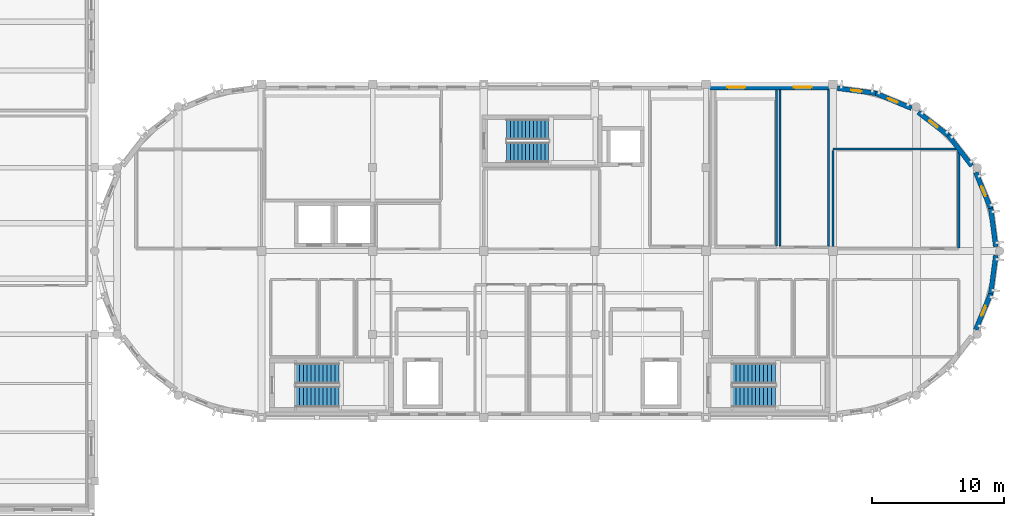
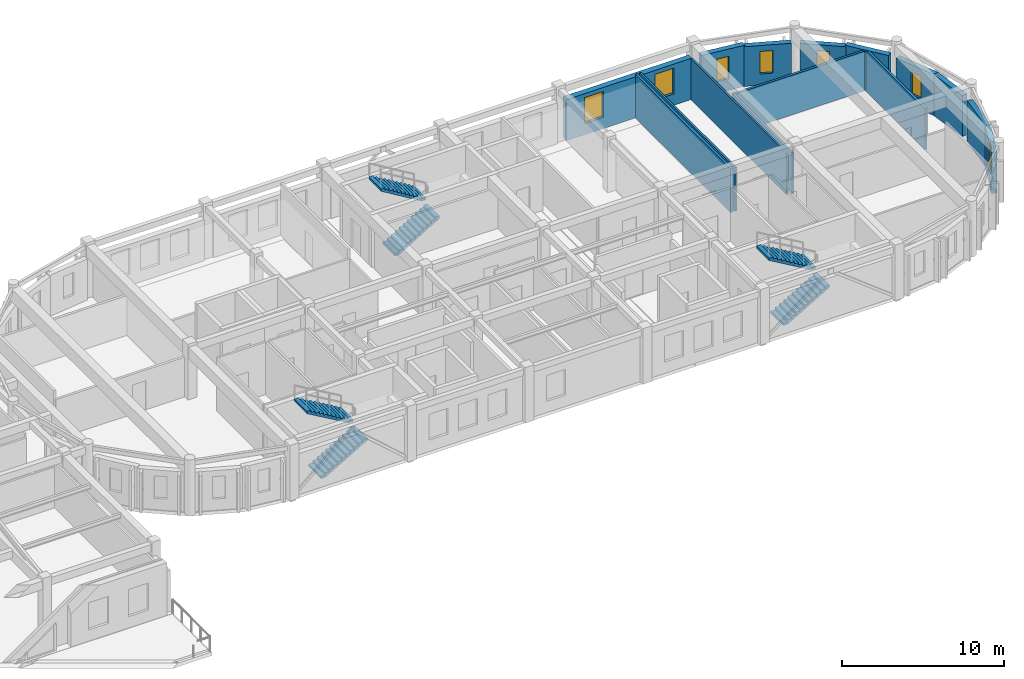
# One storey, part 20 of 29: 15 walls, 7 windows, 6 stair flights, 7 openings, 3 elements without a shape of their own.
"""IFC4 building model written with IfcOpenShell, lengths in metres."""

from ifc_helpers import new_model, si_unit, direction, frame, frame_2d, origin, place, context, subcontext, project, spatial, polyline, rectangle, outline, extrude, material, layer, layer_set, type_object, element, fill, aggregate, save


model = new_model("IFC4")

# Units and contexts
model_context = context("Model", 3, precision=1e-05, world=origin(), true_north=direction((0.0, 1.0)))
body_context = subcontext(model_context, "Body", "Model", "MODEL_VIEW")
ifc_project = project(units=[si_unit("LENGTHUNIT", "METRE"), si_unit("AREAUNIT", "SQUARE_METRE"), si_unit("VOLUMEUNIT", "CUBIC_METRE"), si_unit("PLANEANGLEUNIT", "RADIAN"), si_unit("MASSUNIT", "GRAM", prefix="KILO")], contexts=[model_context])

# Site, building, storey
site_placement = place(None, origin())
site = spatial("IfcSite", under=ifc_project, at=site_placement, CompositionType="ELEMENT")
building_placement = place(site_placement, origin())
building = spatial("IfcBuilding", under=site, at=building_placement, Name="Tarnavel Promenade Courthouse", CompositionType="ELEMENT")
storey_placement = place(building_placement, frame((0.0, 0.0, 22.800048828125)))
storey = spatial("IfcBuildingStorey", under=building, at=storey_placement, Name="L06", CompositionType="ELEMENT", Elevation=22.800048828125)

# Walls
ifc_material_1 = material(Name="Acoustic Insulated Gypsum Stud Partition", Category="gypsum")
ifc_layer_1 = layer(ifc_material_1, 0.1650390625)
ifc_layer_set_1 = layer_set([ifc_layer_1], Name="Acoustic Insulated Gypsum Stud Partition")
wall_type_1 = type_object("IfcWallType", Name="Acoustic Insulated Gypsum Stud Partition WL-CHM-165 (165 mm)", PredefinedType="PARTITIONING", material=ifc_layer_set_1)
wall_1_placement = place(storey_placement, frame((97.718017578125, 103.98095703125, 0.0), z_axis=(0.0, 0.0, 1.0), x_axis=(0.0, -1.0, 0.0)))
element("IfcWall", 1, at=wall_1_placement, inside=storey, type_object=wall_type_1, Name="L06 Judges' Chambers L06 Suite C Partition 0817", PredefinedType="PARTITIONING", context=body_context, shape_type="SweptSolid", body=[
    extrude(rectangle(XDim=11.79833984375, YDim=0.1650390625, at=frame_2d((5.899169921875, 0.0))), origin(), (0.0, 0.0, 1.0), 3.300048828125),
])
wall_2_placement = place(storey_placement, frame((102.0, 99.5, 0.0), z_axis=(0.0, 0.0, 1.0), x_axis=(1.0, 0.0, 0.0)))
element("IfcWall", 2, at=wall_2_placement, inside=storey, type_object=wall_type_1, Name="L06 L06 East Drum Rotunda Chambers North Partition 0834", PredefinedType="PARTITIONING", context=body_context, shape_type="SweptSolid", body=[
    extrude(rectangle(XDim=9.5, YDim=0.1650390625, at=frame_2d((4.75, 0.0))), origin(), (0.0, 0.0, 1.0), 3.0),
])
for number, where, z_axis, x_axis, name in (
    (3, (102.0, 92.04248046875, 0.0), (0.0, 0.0, 1.0), (0.0, 1.0, 0.0), "L06 L06 East Drum Rotunda Chambers North Partition 0836"),
    (4, (111.5, 99.407470703125, 0.0), (0.0, 0.0, 1.0), (0.0, -1.0, 0.0), "L06 L06 East Drum Rotunda Chambers North Partition 0837"),
):
    element("IfcWall", number, at=place(storey_placement, frame(where, z_axis=z_axis, x_axis=x_axis)), inside=storey, type_object=wall_type_1, Name=name, PredefinedType="PARTITIONING", context=body_context, shape_type="SweptSolid", body=[
        extrude(rectangle(XDim=7.364990234375, YDim=0.1650390625, at=frame_2d((3.6826171875, 0.0))), origin(), (0.0, 0.0, 1.0), 3.099853515625),
    ])

# Wall, openings, windows
ifc_material_2 = material(Name="Cream Brick Insulated Cavity Facade Assembly", Category="masonry")
ifc_layer_2 = layer(ifc_material_2, 0.409912109375)
ifc_layer_set_2 = layer_set([ifc_layer_2], Name="Cream Brick Insulated Cavity Facade Assembly")
wall_type_2 = type_object("IfcWallType", Name="Cream Brick Insulated Cavity Facade Assembly WL-EXT-410 (410 mm)", PredefinedType="STANDARD", material=ifc_layer_set_2)
wall_3_placement = place(storey_placement, frame((92.717041015625, 104.179931640625, 0.0), z_axis=(0.0, 0.0, 1.0), x_axis=(1.0, 0.0, 0.0)))
wall_3 = element("IfcWall", 5, at=wall_3_placement, inside=storey, type_object=wall_type_2, Name="L06 Bar North Limestone Facade 0142", PredefinedType="STANDARD", context=body_context, shape_type="SweptSolid", body=[
    extrude(rectangle(XDim=8.966064453125, YDim=0.409912109375, at=frame_2d((4.48291015625, 0.0))), origin(), (0.0, 0.0, 1.0), 3.099853515625),
])
opening_1_placement = place(wall_3_placement, frame((1.294677734375, 0.0, 0.85009765625)))
opening_1 = element("IfcOpeningElement", 6, at=opening_1_placement, cuts=wall_3, Name="Opening W-04", PredefinedType="OPENING", context=body_context, shape_type="SweptSolid", body=[
    extrude(rectangle(XDim=1.35009765625, YDim=1.949951171875, at=frame_2d((0.675048828125, 0.97509765625))), frame((0.0, 0.21484375, 0.0), z_axis=(0.0, -1.0, 0.0), x_axis=(1.0, 0.0, 0.0)), (0.0, 0.0, 1.0), 0.429931640625),
])
opening_2_placement = place(wall_3_placement, frame((6.3212890625, 0.0, 0.85009765625)))
opening_2 = element("IfcOpeningElement", 7, at=opening_2_placement, cuts=wall_3, Name="Opening W-04", PredefinedType="OPENING", context=body_context, shape_type="SweptSolid", body=[
    extrude(rectangle(XDim=1.35009765625, YDim=1.949951171875, at=frame_2d((0.675048828125, 0.97509765625))), frame((0.0, 0.21484375, 0.0), z_axis=(0.0, -1.0, 0.0), x_axis=(1.0, 0.0, 0.0)), (0.0, 0.0, 1.0), 0.429931640625),
])
ifc_material_3 = material(Name="Triple Low-E Glazed Bronze-Clad Window Assembly")
window_type_1 = type_object("IfcWindowType", Name="Triple-Glazed Bronze-Clad Timber-Aluminium WIN-CHM-1350x1950", PartitioningType="SINGLE_PANEL", PredefinedType="WINDOW", material=ifc_material_3)
window_1_placement = place(opening_1_placement, origin())
window_1 = element("IfcWindow", 8, at=window_1_placement, inside=storey, type_object=window_type_1, Name="L06 Exterior Window 0107", OverallHeight=1.949951171875, OverallWidth=1.35009765625, PartitioningType="SINGLE_PANEL", PredefinedType="WINDOW", context=body_context, shape_type="SweptSolid", body=[
    extrude(rectangle(XDim=1.35009765625, YDim=1.949951171875, at=frame_2d((0.675048828125, 0.97509765625))), frame((0.0, 0.030029296875, 0.0), z_axis=(0.0, -1.0, 0.0), x_axis=(1.0, 0.0, 0.0)), (0.0, 0.0, 1.0), 0.06005859375),
])
fill(opening_1, window_1)
window_2_placement = place(opening_2_placement, origin())
window_2 = element("IfcWindow", 9, at=window_2_placement, inside=storey, type_object=window_type_1, Name="L06 Exterior Window 0108", OverallHeight=1.949951171875, OverallWidth=1.35009765625, PartitioningType="SINGLE_PANEL", PredefinedType="WINDOW", context=body_context, shape_type="SweptSolid", body=[
    extrude(rectangle(XDim=1.35009765625, YDim=1.949951171875, at=frame_2d((0.675048828125, 0.97509765625))), frame((0.0, 0.030029296875, 0.0), z_axis=(0.0, -1.0, 0.0), x_axis=(1.0, 0.0, 0.0)), (0.0, 0.0, 1.0), 0.06005859375),
])
fill(opening_2, window_2)

# Walls
ifc_material_4 = material(Name="Metal-Stud Acoustic Gypsum Partition", Category="gypsum")
ifc_layer_3 = layer(ifc_material_4, 0.135009765625)
ifc_layer_set_3 = layer_set([ifc_layer_3], Name="Metal-Stud Acoustic Gypsum Partition")
wall_type_3 = type_object("IfcWallType", Name="Metal-Stud Acoustic Gypsum Partition WL-OFF-135 (135 mm)", PredefinedType="PARTITIONING", material=ifc_layer_set_3)
wall_4_placement = place(storey_placement, frame((97.998046875, 92.16748046875, 0.0), z_axis=(0.0, 0.0, 1.0), x_axis=(0.0, 1.0, 0.0)))
element("IfcWall", 10, at=wall_4_placement, inside=storey, type_object=wall_type_3, Name="L06 Legal Assistants' Workroom L06 Partition 0819", PredefinedType="PARTITIONING", context=body_context, shape_type="SweptSolid", body=[
    extrude(rectangle(XDim=11.8134765625, YDim=0.135009765625, at=frame_2d((5.90673828125, 0.0))), origin(), (0.0, 0.0, 1.0), 3.300048828125),
])
wall_5_placement = place(storey_placement, frame((101.659912109375, 103.98095703125, 0.0), z_axis=(0.0, 0.0, 1.0), x_axis=(0.0, -1.0, 0.0)))
element("IfcWall", 11, at=wall_5_placement, inside=storey, type_object=wall_type_3, Name="L06 Legal Assistants' Workroom L06 Partition 0820", PredefinedType="PARTITIONING", context=body_context, shape_type="SweptSolid", body=[
    extrude(rectangle(XDim=11.8134765625, YDim=0.135009765625, at=frame_2d((5.90673828125, 0.0))), origin(), (0.0, 0.0, 1.0), 3.099853515625),
])

# Wall, opening, window
ifc_material_5 = material(Name="Patinated Copper-Bronze Insulated Drum Wall Assembly", Category="masonry")
ifc_layer_4 = layer(ifc_material_5, 0.364990234375)
ifc_layer_set_4 = layer_set([ifc_layer_4], Name="Patinated Copper-Bronze Insulated Drum Wall Assembly")
wall_type_4 = type_object("IfcWallType", Name="Patinated Copper-Bronze Insulated Drum Wall Assembly WL-DRUM-365 (365 mm)", PredefinedType="ELEMENTEDWALL", material=ifc_layer_set_4)
wall_6_placement = place(storey_placement, frame((112.788818359375, 85.856201171875, 0.0), z_axis=(0.0, 0.0, 1.0), x_axis=(0.382700732442, 0.923872366395, 0.0)))
wall_6 = element("IfcWall", 12, at=wall_6_placement, inside=storey, type_object=wall_type_4, Name="L06 E Copper Drum Chord Wall 05 0162", PredefinedType="ELEMENTEDWALL", context=body_context, shape_type="SweptSolid", body=[
    extrude(rectangle(XDim=3.00732421875, YDim=0.364990234375, at=frame_2d((1.503662109375, 0.0))), origin(), (0.0, 0.0, 1.0), 3.099853515625),
])
opening_3_placement = place(wall_6_placement, frame((1.14501953125, 0.0, 0.85009765625)))
opening_3 = element("IfcOpeningElement", 13, at=opening_3_placement, cuts=wall_6, Name="Opening W-09", PredefinedType="OPENING", context=body_context, shape_type="SweptSolid", body=[
    extrude(rectangle(XDim=0.800048828125, YDim=1.699951171875, at=frame_2d((0.39990234375, 0.85009765625))), frame((0.0, 0.1923828125, 0.0), z_axis=(0.0, -1.0, 0.0), x_axis=(1.0, 0.0, 0.0)), (0.0, 0.0, 1.0), 0.385009765625),
])
window_type_2 = type_object("IfcWindowType", Name="Triple-Glazed Bronze-Clad Timber-Aluminium WIN-DRM-0800x1700", PartitioningType="SINGLE_PANEL", PredefinedType="WINDOW", material=ifc_material_3)
window_3_placement = place(opening_3_placement, origin())
window_3 = element("IfcWindow", 14, at=window_3_placement, inside=storey, type_object=window_type_2, Name="L06 Exterior Window 0128", OverallHeight=1.699951171875, OverallWidth=0.800048828125, PartitioningType="SINGLE_PANEL", PredefinedType="WINDOW", context=body_context, shape_type="SweptSolid", body=[
    extrude(rectangle(XDim=0.800048828125, YDim=1.699951171875, at=frame_2d((0.39990234375, 0.85009765625))), frame((0.0, 0.030029296875, 0.0), z_axis=(0.0, -1.0, 0.0), x_axis=(1.0, 0.0, 0.0)), (0.0, 0.0, 1.0), 0.06005859375),
])
fill(opening_3, window_3)

# Walls
wall_7_placement = place(storey_placement, frame((113.9228515625, 88.571533203125, 0.0), z_axis=(0.0, 0.0, 1.0), x_axis=(0.13049554724, 0.99144889538, 0.0)))
element("IfcWall", 15, at=wall_7_placement, inside=storey, type_object=wall_type_4, Name="L06 E Copper Drum Chord Wall 06 0163", PredefinedType="ELEMENTEDWALL", context=body_context, shape_type="SweptSolid", body=[
    extrude(rectangle(XDim=2.924072265625, YDim=0.364990234375, at=frame_2d((1.4619140625, 0.0))), origin(), (0.0, 0.0, 1.0), 3.099853515625),
])
wall_8_placement = place(storey_placement, frame((114.304443359375, 92.129150390625, 0.0), z_axis=(0.0, 0.0, 1.0), x_axis=(-0.130484746162, 0.99145031697, 0.0)))
element("IfcWall", 16, at=wall_8_placement, inside=storey, type_object=wall_type_4, Name="L06 E Copper Drum Chord Wall 07 0164", PredefinedType="ELEMENTEDWALL", context=body_context, shape_type="SweptSolid", body=[
    extrude(rectangle(XDim=2.92431640625, YDim=0.364990234375, at=frame_2d((1.462158203125, 0.0))), origin(), (0.0, 0.0, 1.0), 3.099853515625),
])

# Wall, opening, window
wall_9_placement = place(storey_placement, frame((113.939697265625, 94.965576171875, 0.0), z_axis=(0.0, 0.0, 1.0), x_axis=(-0.382700732442, 0.923872366395, 0.0)))
wall_9 = element("IfcWall", 17, at=wall_9_placement, inside=storey, type_object=wall_type_4, Name="L06 E Copper Drum Chord Wall 08 0165", PredefinedType="ELEMENTEDWALL", context=body_context, shape_type="SweptSolid", body=[
    extrude(rectangle(XDim=3.00732421875, YDim=0.364990234375, at=frame_2d((1.503662109375, 0.0))), origin(), (0.0, 0.0, 1.0), 3.099853515625),
])
opening_4_placement = place(wall_9_placement, frame((1.06201171875, 0.0, 0.85009765625)))
opening_4 = element("IfcOpeningElement", 18, at=opening_4_placement, cuts=wall_9, Name="Opening W-09", PredefinedType="OPENING", context=body_context, shape_type="SweptSolid", body=[
    extrude(rectangle(XDim=0.800048828125, YDim=1.699951171875, at=frame_2d((0.39990234375, 0.85009765625))), frame((0.0, 0.1923828125, 0.0), z_axis=(0.0, -1.0, 0.0), x_axis=(1.0, 0.0, 0.0)), (0.0, 0.0, 1.0), 0.385009765625),
])
window_4_placement = place(opening_4_placement, origin())
window_4 = element("IfcWindow", 19, at=window_4_placement, inside=storey, type_object=window_type_2, Name="L06 Exterior Window 0129", OverallHeight=1.699951171875, OverallWidth=0.800048828125, PartitioningType="SINGLE_PANEL", PredefinedType="WINDOW", context=body_context, shape_type="SweptSolid", body=[
    extrude(rectangle(XDim=0.800048828125, YDim=1.699951171875, at=frame_2d((0.39990234375, 0.85009765625))), frame((0.0, 0.030029296875, 0.0), z_axis=(0.0, -1.0, 0.0), x_axis=(1.0, 0.0, 0.0)), (0.0, 0.0, 1.0), 0.06005859375),
])
fill(opening_4, window_4)

# Wall
wall_10_placement = place(storey_placement, frame((112.491455078125, 98.2373046875, 0.0), z_axis=(0.0, 0.0, 1.0), x_axis=(-0.60876624393, 0.793349645649, 0.0)))
element("IfcWall", 20, at=wall_10_placement, inside=storey, type_object=wall_type_4, Name="L06 E Copper Drum Chord Wall 09 0166", PredefinedType="ELEMENTEDWALL", context=body_context, shape_type="SweptSolid", body=[
    extrude(rectangle(XDim=2.92431640625, YDim=0.364990234375, at=frame_2d((1.462158203125, 0.0))), origin(), (0.0, 0.0, 1.0), 3.099853515625),
])

# Wall, opening, window
wall_11_placement = place(storey_placement, frame((110.75732421875, 100.51123046875, 0.0), z_axis=(0.0, 0.0, 1.0), x_axis=(-0.793318703663, 0.608806565682, 0.0)))
wall_11 = element("IfcWall", 21, at=wall_11_placement, inside=storey, type_object=wall_type_4, Name="L06 E Copper Drum Chord Wall 10 0167", PredefinedType="ELEMENTEDWALL", context=body_context, shape_type="SweptSolid", body=[
    extrude(rectangle(XDim=2.92431640625, YDim=0.364990234375, at=frame_2d((1.462158203125, 0.0))), origin(), (0.0, 0.0, 1.0), 3.0),
])
opening_5_placement = place(wall_11_placement, frame((1.06201171875, 0.0, 0.85009765625)))
opening_5 = element("IfcOpeningElement", 22, at=opening_5_placement, cuts=wall_11, Name="Opening W-09", PredefinedType="OPENING", context=body_context, shape_type="SweptSolid", body=[
    extrude(rectangle(XDim=0.800048828125, YDim=1.699951171875, at=frame_2d((0.39990234375, 0.85009765625))), frame((0.0, 0.1923828125, 0.0), z_axis=(0.0, -1.0, 0.0), x_axis=(1.0, 0.0, 0.0)), (0.0, 0.0, 1.0), 0.385009765625),
])
window_5_placement = place(opening_5_placement, origin())
window_5 = element("IfcWindow", 23, at=window_5_placement, inside=storey, type_object=window_type_2, Name="L06 Exterior Window 0130", OverallHeight=1.699951171875, OverallWidth=0.800048828125, PartitioningType="SINGLE_PANEL", PredefinedType="WINDOW", context=body_context, shape_type="SweptSolid", body=[
    extrude(rectangle(XDim=0.800048828125, YDim=1.699951171875, at=frame_2d((0.39990234375, 0.85009765625))), frame((0.0, 0.030029296875, 0.0), z_axis=(0.0, -1.0, 0.0), x_axis=(1.0, 0.0, 0.0)), (0.0, 0.0, 1.0), 0.06005859375),
])
fill(opening_5, window_5)

wall_12_placement = place(storey_placement, frame((107.94384765625, 102.5888671875, 0.0), z_axis=(0.0, 0.0, 1.0), x_axis=(-0.923872366395, 0.382700732442, 0.0)))
wall_12 = element("IfcWall", 24, at=wall_12_placement, inside=storey, type_object=wall_type_4, Name="L06 E Copper Drum Chord Wall 11 0168", PredefinedType="ELEMENTEDWALL", context=body_context, shape_type="SweptSolid", body=[
    extrude(rectangle(XDim=3.00732421875, YDim=0.364990234375, at=frame_2d((1.503662109375, 0.0))), origin(), (0.0, 0.0, 1.0), 3.0),
])
opening_6_placement = place(wall_12_placement, frame((1.14501953125, 0.0, 0.85009765625)))
opening_6 = element("IfcOpeningElement", 25, at=opening_6_placement, cuts=wall_12, Name="Opening W-09", PredefinedType="OPENING", context=body_context, shape_type="SweptSolid", body=[
    extrude(rectangle(XDim=0.800048828125, YDim=1.699951171875, at=frame_2d((0.39990234375, 0.85009765625))), frame((0.0, 0.1923828125, 0.0), z_axis=(0.0, -1.0, 0.0), x_axis=(1.0, 0.0, 0.0)), (0.0, 0.0, 1.0), 0.385009765625),
])
window_6_placement = place(opening_6_placement, origin())
window_6 = element("IfcWindow", 26, at=window_6_placement, inside=storey, type_object=window_type_2, Name="L06 Exterior Window 0131", OverallHeight=1.699951171875, OverallWidth=0.800048828125, PartitioningType="SINGLE_PANEL", PredefinedType="WINDOW", context=body_context, shape_type="SweptSolid", body=[
    extrude(rectangle(XDim=0.800048828125, YDim=1.699951171875, at=frame_2d((0.39990234375, 0.85009765625))), frame((0.0, 0.030029296875, 0.0), z_axis=(0.0, -1.0, 0.0), x_axis=(1.0, 0.0, 0.0)), (0.0, 0.0, 1.0), 0.06005859375),
])
fill(opening_6, window_6)

wall_13_placement = place(storey_placement, frame((105.228515625, 103.722900390625, 0.0), z_axis=(0.0, 0.0, 1.0), x_axis=(-0.99144889538, 0.13049554724, 0.0)))
wall_13 = element("IfcWall", 27, at=wall_13_placement, inside=storey, type_object=wall_type_4, Name="L06 E Copper Drum Chord Wall 12 0169", PredefinedType="ELEMENTEDWALL", context=body_context, shape_type="SweptSolid", body=[
    extrude(rectangle(XDim=2.924072265625, YDim=0.364990234375, at=frame_2d((1.4619140625, 0.0))), origin(), (0.0, 0.0, 1.0), 3.099853515625),
])
opening_7_placement = place(wall_13_placement, frame((1.06201171875, 0.0, 0.85009765625)))
opening_7 = element("IfcOpeningElement", 28, at=opening_7_placement, cuts=wall_13, Name="Opening W-09", PredefinedType="OPENING", context=body_context, shape_type="SweptSolid", body=[
    extrude(rectangle(XDim=0.800048828125, YDim=1.699951171875, at=frame_2d((0.39990234375, 0.85009765625))), frame((0.0, 0.1923828125, 0.0), z_axis=(0.0, -1.0, 0.0), x_axis=(1.0, 0.0, 0.0)), (0.0, 0.0, 1.0), 0.385009765625),
])
window_7_placement = place(opening_7_placement, origin())
window_7 = element("IfcWindow", 29, at=window_7_placement, inside=storey, type_object=window_type_2, Name="L06 Exterior Window 0132", OverallHeight=1.699951171875, OverallWidth=0.800048828125, PartitioningType="SINGLE_PANEL", PredefinedType="WINDOW", context=body_context, shape_type="SweptSolid", body=[
    extrude(rectangle(XDim=0.800048828125, YDim=1.699951171875, at=frame_2d((0.39990234375, 0.85009765625))), frame((0.0, 0.030029296875, 0.0), z_axis=(0.0, -1.0, 0.0), x_axis=(1.0, 0.0, 0.0)), (0.0, 0.0, 1.0), 0.06005859375),
])
fill(opening_7, window_7)

# Stair, stair flights
ifc_material_6 = material(Name="Concrete C35/45", Category="concrete")
stair_type_1 = type_object("IfcStairType", Name="Concrete C35/45 Half-Turn Stair STR-03 (1560W-300G-24R)", PredefinedType="HALF_TURN_STAIR", material=ifc_material_6)
stair_1_placement = place(storey_placement, origin())
stair_1 = element("IfcStair", 30, at=stair_1_placement, inside=storey, type_object=stair_type_1, Name="L06 West Bar Firefighting Exit Stair", PredefinedType="HALF_TURN_STAIR")
stair_flight_type_1 = type_object("IfcStairFlightType", Name="Concrete C35/45 Stair Flight STF-03 (1560W-300G-24R)", PredefinedType="STRAIGHT", material=ifc_material_6)
stair_flight_1_placement = place(storey_placement, frame((61.360107421875, 80.780029296875, 0.0), z_axis=(0.0, 0.0, 1.0), x_axis=(1.0, 0.0, 0.0)))
stair_flight_1 = element("IfcStairFlight", 31, at=stair_flight_1_placement, type_object=stair_flight_type_1, Name="ST-01 flight 1", NumberOfRisers=12, NumberOfTreads=11, PredefinedType="STRAIGHT", RiserHeight=0.175, TreadLength=0.3, context=body_context, shape_type="SweptSolid", body=[
    extrude(outline(polyline([(0.0, 0.0), (0.0, 0.175048828125), (0.300048828125, 0.175048828125), (0.300048828125, 0.35009765625), (0.60009765625, 0.35009765625), (0.60009765625, 0.52490234375), (0.89990234375, 0.52490234375), (0.89990234375, 0.699951171875), (1.199951171875, 0.699951171875), (1.199951171875, 0.875), (1.5, 0.875), (1.5, 1.050048828125), (1.800048828125, 1.050048828125), (1.800048828125, 1.22509765625), (2.10009765625, 1.22509765625), (2.10009765625, 1.39990234375), (2.39990234375, 1.39990234375), (2.39990234375, 1.574951171875), (2.699951171875, 1.574951171875), (2.699951171875, 1.75), (3.0, 1.75), (3.0, 1.925048828125), (3.300048828125, 1.925048828125), (3.300048828125, 2.10009765625), (3.300048828125, 1.75146484375), (0.297607421875, 0.0), (0.0, 0.0)])), frame((0.0, 0.780029296875, 0.0), z_axis=(0.0, -1.0, 0.0), x_axis=(1.0, 0.0, 0.0)), (0.0, 0.0, 1.0), 1.56005859375),
])
stair_flight_2_placement = place(storey_placement, frame((64.659912109375, 82.5400390625, 2.099853515625), z_axis=(0.0, 0.0, 1.0), x_axis=(-1.0, 0.0, 0.0)))
stair_flight_2 = element("IfcStairFlight", 32, at=stair_flight_2_placement, type_object=stair_flight_type_1, Name="ST-01 flight 2", NumberOfRisers=12, NumberOfTreads=11, PredefinedType="STRAIGHT", RiserHeight=0.175, TreadLength=0.3, context=body_context, shape_type="SweptSolid", body=[
    extrude(outline(polyline([(0.0, 0.0), (0.0, 0.175048828125), (0.300048828125, 0.175048828125), (0.300048828125, 0.35009765625), (0.60009765625, 0.35009765625), (0.60009765625, 0.52490234375), (0.89990234375, 0.52490234375), (0.89990234375, 0.699951171875), (1.199951171875, 0.699951171875), (1.199951171875, 0.875), (1.5, 0.875), (1.5, 1.050048828125), (1.800048828125, 1.050048828125), (1.800048828125, 1.22509765625), (2.10009765625, 1.22509765625), (2.10009765625, 1.39990234375), (2.39990234375, 1.39990234375), (2.39990234375, 1.574951171875), (2.699951171875, 1.574951171875), (2.699951171875, 1.75), (3.0, 1.75), (3.0, 1.925048828125), (3.300048828125, 1.925048828125), (3.300048828125, 2.10009765625), (3.300048828125, 1.75146484375), (0.297607421875, 0.0), (0.0, 0.0)])), frame((0.0, 0.780029296875, 0.0), z_axis=(0.0, -1.0, 0.0), x_axis=(1.0, 0.0, 0.0)), (0.0, 0.0, 1.0), 1.56005859375),
])
aggregate(stair_1, [stair_flight_1, stair_flight_2])

stair_2_placement = place(storey_placement, origin())
stair_2 = element("IfcStair", 33, at=stair_2_placement, inside=storey, type_object=stair_type_1, Name="L06 East Bar Firefighting Exit Stair", PredefinedType="HALF_TURN_STAIR")
stair_flight_3_placement = place(storey_placement, frame((94.360107421875, 80.780029296875, 0.0), z_axis=(0.0, 0.0, 1.0), x_axis=(1.0, 0.0, 0.0)))
stair_flight_3 = element("IfcStairFlight", 34, at=stair_flight_3_placement, type_object=stair_flight_type_1, Name="ST-02 flight 1", NumberOfRisers=12, NumberOfTreads=11, PredefinedType="STRAIGHT", RiserHeight=0.175, TreadLength=0.3, context=body_context, shape_type="SweptSolid", body=[
    extrude(outline(polyline([(0.0, 0.0), (0.0, 0.175048828125), (0.300048828125, 0.175048828125), (0.300048828125, 0.35009765625), (0.60009765625, 0.35009765625), (0.60009765625, 0.52490234375), (0.89990234375, 0.52490234375), (0.89990234375, 0.699951171875), (1.199951171875, 0.699951171875), (1.199951171875, 0.875), (1.5, 0.875), (1.5, 1.050048828125), (1.800048828125, 1.050048828125), (1.800048828125, 1.22509765625), (2.10009765625, 1.22509765625), (2.10009765625, 1.39990234375), (2.39990234375, 1.39990234375), (2.39990234375, 1.574951171875), (2.699951171875, 1.574951171875), (2.699951171875, 1.75), (3.0, 1.75), (3.0, 1.925048828125), (3.300048828125, 1.925048828125), (3.300048828125, 2.10009765625), (3.300048828125, 1.75146484375), (0.297607421875, 0.0), (0.0, 0.0)])), frame((0.0, 0.780029296875, 0.0), z_axis=(0.0, -1.0, 0.0), x_axis=(1.0, 0.0, 0.0)), (0.0, 0.0, 1.0), 1.56005859375),
])
stair_flight_4_placement = place(storey_placement, frame((97.659912109375, 82.5400390625, 2.099853515625), z_axis=(0.0, 0.0, 1.0), x_axis=(-1.0, 0.0, 0.0)))
stair_flight_4 = element("IfcStairFlight", 35, at=stair_flight_4_placement, type_object=stair_flight_type_1, Name="ST-02 flight 2", NumberOfRisers=12, NumberOfTreads=11, PredefinedType="STRAIGHT", RiserHeight=0.175, TreadLength=0.3, context=body_context, shape_type="SweptSolid", body=[
    extrude(outline(polyline([(0.0, 0.0), (0.0, 0.175048828125), (0.300048828125, 0.175048828125), (0.300048828125, 0.35009765625), (0.60009765625, 0.35009765625), (0.60009765625, 0.52490234375), (0.89990234375, 0.52490234375), (0.89990234375, 0.699951171875), (1.199951171875, 0.699951171875), (1.199951171875, 0.875), (1.5, 0.875), (1.5, 1.050048828125), (1.800048828125, 1.050048828125), (1.800048828125, 1.22509765625), (2.10009765625, 1.22509765625), (2.10009765625, 1.39990234375), (2.39990234375, 1.39990234375), (2.39990234375, 1.574951171875), (2.699951171875, 1.574951171875), (2.699951171875, 1.75), (3.0, 1.75), (3.0, 1.925048828125), (3.300048828125, 1.925048828125), (3.300048828125, 2.10009765625), (3.300048828125, 1.75146484375), (0.297607421875, 0.0), (0.0, 0.0)])), frame((0.0, 0.780029296875, 0.0), z_axis=(0.0, -1.0, 0.0), x_axis=(1.0, 0.0, 0.0)), (0.0, 0.0, 1.0), 1.56005859375),
])
aggregate(stair_2, [stair_flight_3, stair_flight_4])

stair_type_2 = type_object("IfcStairType", Name="Concrete C35/45 Half-Turn Stair STR-06 (1520W-290G-24R)", PredefinedType="HALF_TURN_STAIR", material=ifc_material_6)
stair_3_placement = place(storey_placement, origin())
stair_3 = element("IfcStair", 36, at=stair_3_placement, inside=storey, type_object=stair_type_2, Name="L06 Central Judicial Chambers Exit Stair", PredefinedType="HALF_TURN_STAIR")
stair_flight_type_2 = type_object("IfcStairFlightType", Name="Concrete C35/45 Stair Flight STF-06 (1520W-290G-24R)", PredefinedType="STRAIGHT", material=ifc_material_6)
stair_flight_5_placement = place(storey_placement, frame((77.320068359375, 99.260009765625, 0.0), z_axis=(0.0, 0.0, 1.0), x_axis=(1.0, 0.0, 0.0)))
stair_flight_5 = element("IfcStairFlight", 37, at=stair_flight_5_placement, type_object=stair_flight_type_2, Name="ST-03 flight 1", NumberOfRisers=12, NumberOfTreads=11, PredefinedType="STRAIGHT", RiserHeight=0.175, TreadLength=0.29, context=body_context, shape_type="SweptSolid", body=[
    extrude(outline(polyline([(0.0, 0.0), (0.0, 0.175048828125), (0.2900390625, 0.175048828125), (0.2900390625, 0.35009765625), (0.580078125, 0.35009765625), (0.580078125, 0.52490234375), (0.8701171875, 0.52490234375), (0.8701171875, 0.699951171875), (1.159912109375, 0.699951171875), (1.159912109375, 0.875), (1.449951171875, 0.875), (1.449951171875, 1.050048828125), (1.739990234375, 1.050048828125), (1.739990234375, 1.22509765625), (2.030029296875, 1.22509765625), (2.030029296875, 1.39990234375), (2.320068359375, 1.39990234375), (2.320068359375, 1.574951171875), (2.610107421875, 1.574951171875), (2.610107421875, 1.75), (2.89990234375, 1.75), (2.89990234375, 1.925048828125), (3.18994140625, 1.925048828125), (3.18994140625, 2.10009765625), (3.18994140625, 1.75), (0.2900390625, 0.0), (0.0, 0.0)])), frame((0.0, 0.760009765625, 0.0), z_axis=(0.0, -1.0, 0.0), x_axis=(1.0, 0.0, 0.0)), (0.0, 0.0, 1.0), 1.52001953125),
])
stair_flight_6_placement = place(storey_placement, frame((80.510009765625, 100.97998046875, 2.099853515625), z_axis=(0.0, 0.0, 1.0), x_axis=(-1.0, 0.0, 0.0)))
stair_flight_6 = element("IfcStairFlight", 38, at=stair_flight_6_placement, type_object=stair_flight_type_2, Name="ST-03 flight 2", NumberOfRisers=12, NumberOfTreads=11, PredefinedType="STRAIGHT", RiserHeight=0.175, TreadLength=0.29, context=body_context, shape_type="SweptSolid", body=[
    extrude(outline(polyline([(0.0, 0.0), (0.0, 0.175048828125), (0.2900390625, 0.175048828125), (0.2900390625, 0.35009765625), (0.580078125, 0.35009765625), (0.580078125, 0.52490234375), (0.8701171875, 0.52490234375), (0.8701171875, 0.699951171875), (1.159912109375, 0.699951171875), (1.159912109375, 0.875), (1.449951171875, 0.875), (1.449951171875, 1.050048828125), (1.739990234375, 1.050048828125), (1.739990234375, 1.22509765625), (2.030029296875, 1.22509765625), (2.030029296875, 1.39990234375), (2.320068359375, 1.39990234375), (2.320068359375, 1.574951171875), (2.610107421875, 1.574951171875), (2.610107421875, 1.75), (2.89990234375, 1.75), (2.89990234375, 1.925048828125), (3.18994140625, 1.925048828125), (3.18994140625, 2.10009765625), (3.18994140625, 1.75), (0.2900390625, 0.0), (0.0, 0.0)])), frame((0.0, 0.760009765625, 0.0), z_axis=(0.0, -1.0, 0.0), x_axis=(1.0, 0.0, 0.0)), (0.0, 0.0, 1.0), 1.52001953125),
])
aggregate(stair_3, [stair_flight_5, stair_flight_6])

save(model, "model.ifc")
